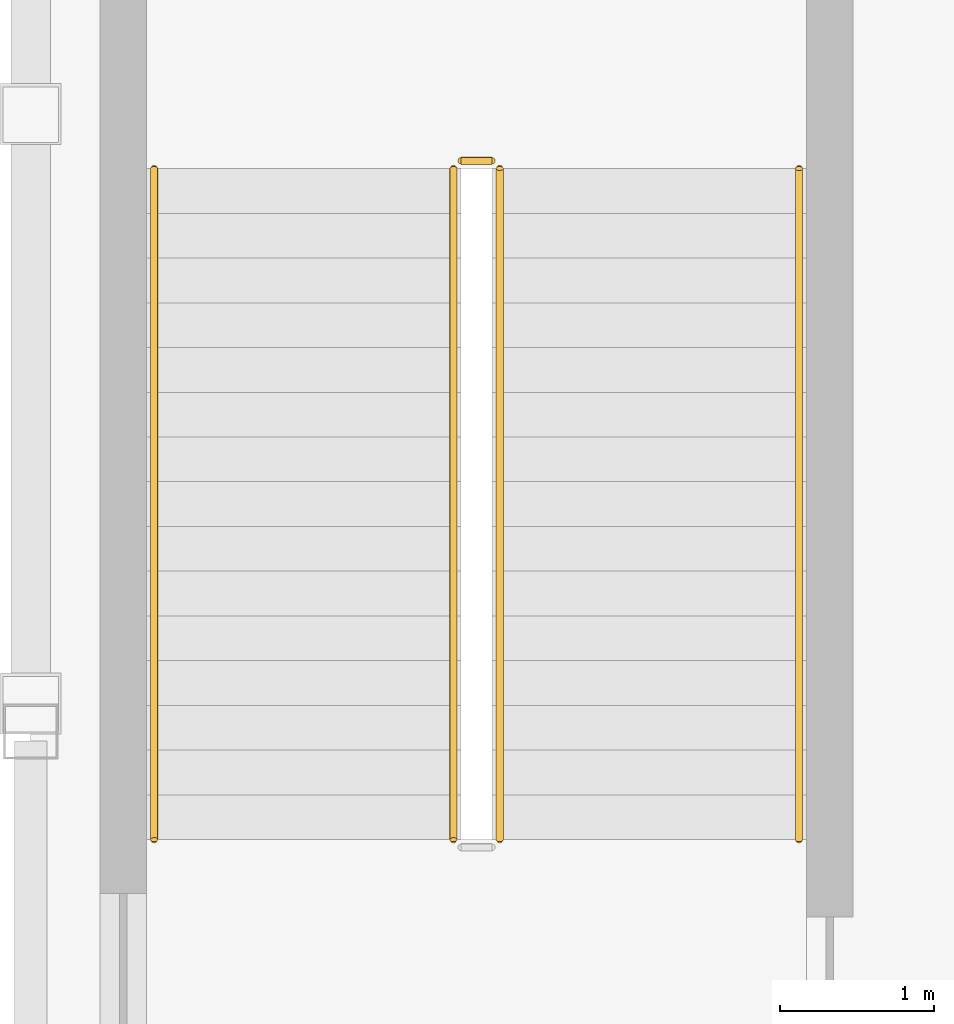
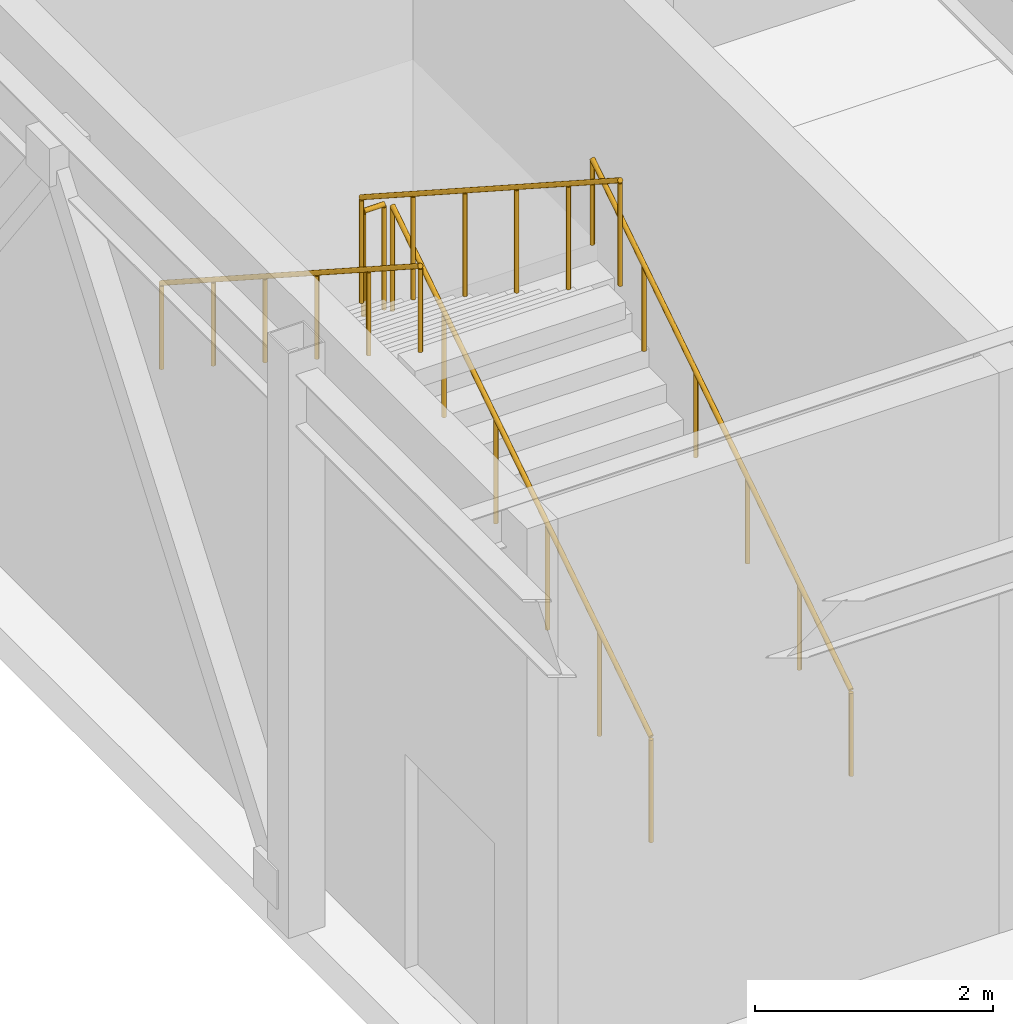
# One storey, part 76 of 82: 5 railings.
"""IFC4 building model written with IfcOpenShell, lengths in metres."""

import ifcopenshell
import ifcopenshell.guid

model = None  # the IFC model being written
_history = None  # IfcOwnerHistory: only IFC2X3 demands one
_inside = {}  # id of a spatial element -> (the spatial element, [elements in it])
_under = {}  # id of a project, library or spatial element -> (it, [spatial elements below it])
_declared = {}  # id of a project -> (the project, [libraries it declares])
_typed = {}  # id of a type object -> (the type object, [elements of that type])
_made_of = {}  # id of a material, layer set ... -> (it, [elements and type objects made of it])


def new_model(schema):
    """Start an empty IFC model of exactly this schema.

    Asked for "IFC4X3", IfcOpenShell would pick the latest addendum, in which some entities
    have other attributes; the version numbers below select the first issue.
    IFC2X3 requires an IfcOwnerHistory on every rooted entity: one is made here for all.
    """
    global model, _history
    if schema == "IFC4X3":
        model = ifcopenshell.file(schema_version=(4, 3, 0, 0))
    else:
        model = ifcopenshell.file(schema=schema)
    _inside.clear()
    _under.clear()
    _declared.clear()
    _typed.clear()
    _made_of.clear()
    _history = None
    if model.schema == "IFC2X3":
        org = make("IfcOrganization", Name="unknown")
        user = make(
            "IfcPersonAndOrganization",
            ThePerson=make("IfcPerson", FamilyName="unknown"),
            TheOrganization=org,
        )
        app = make(
            "IfcApplication",
            ApplicationDeveloper=org,
            Version="unknown",
            ApplicationFullName="unknown",
            ApplicationIdentifier="unknown",
        )
        _history = make(
            "IfcOwnerHistory",
            OwningUser=user,
            OwningApplication=app,
            ChangeAction="ADDED",
            CreationDate=0,
        )
    return model


def make(cls, **values):
    """One entity of the class cls with the attributes given. An attribute that is None is left unset."""
    return model.create_entity(
        cls, **{name: value for name, value in values.items() if value is not None}
    )


def rooted(cls, **values):
    """An entity with a GlobalId (a new one), such as an element, a storey or a relation."""
    return make(cls, GlobalId=ifcopenshell.guid.new(), OwnerHistory=_history, **values)


def si_unit(unit_type, name, prefix=None):
    """IfcSIUnit, for example si_unit("LENGTHUNIT", "METRE", prefix="MILLI")."""
    return make("IfcSIUnit", UnitType=unit_type, Prefix=prefix, Name=name)


def assignment(units):
    """IfcUnitAssignment: the units of a project."""
    return None if units is None else make("IfcUnitAssignment", Units=units)


def point(xyz):
    """IfcCartesianPoint."""
    return None if xyz is None else make("IfcCartesianPoint", Coordinates=xyz)


def direction(xyz):
    """IfcDirection."""
    return None if xyz is None else make("IfcDirection", DirectionRatios=xyz)


def frame(location, z_axis=None, x_axis=None):
    """IfcAxis2Placement3D, a coordinate frame: its origin and axes. An axis left out is left unset."""
    return make(
        "IfcAxis2Placement3D",
        Location=point(location),
        Axis=direction(z_axis),
        RefDirection=direction(x_axis),
    )


def frame_2d(location, x_axis=None):
    """IfcAxis2Placement2D, a coordinate frame in the plane: its origin and x axis."""
    return make(
        "IfcAxis2Placement2D", Location=point(location), RefDirection=direction(x_axis)
    )


def origin():
    """The frame at (0, 0, 0) with its axes left unset."""
    return frame((0.0, 0.0, 0.0))


def origin_2d():
    """The frame at (0, 0) in the plane with its x axis left unset."""
    return frame_2d((0.0, 0.0))


def place(relative_to, where):
    """IfcLocalPlacement: puts the frame where relative to a parent placement (None: the world)."""
    return make(
        "IfcLocalPlacement", PlacementRelTo=relative_to, RelativePlacement=where
    )


def context(
    kind, dimensions, precision=None, world=None, true_north=None, identifier=None
):
    """IfcGeometricRepresentationContext, for example the 3D "Model" context."""
    return make(
        "IfcGeometricRepresentationContext",
        ContextIdentifier=identifier,
        ContextType=kind,
        CoordinateSpaceDimension=dimensions,
        Precision=precision,
        WorldCoordinateSystem=world,
        TrueNorth=true_north,
    )


def subcontext(parent, identifier, kind, view, scale=None):
    """IfcGeometricRepresentationSubContext, for example "Body" below "Model"."""
    return make(
        "IfcGeometricRepresentationSubContext",
        ContextIdentifier=identifier,
        ContextType=kind,
        ParentContext=parent,
        TargetScale=scale,
        TargetView=view,
    )


def project(units=None, contexts=None):
    """IfcProject with its units and contexts."""
    return rooted(
        "IfcProject",
        Name="project",
        RepresentationContexts=contexts,
        UnitsInContext=assignment(units),
    )


def spatial(cls, under=None, at=None, **own):
    """A site, building, storey or space (cls), placed at a placement, below another one or the project."""
    s = rooted(cls, ObjectPlacement=at, **own)
    if under is not None:
        _under.setdefault(under.id(), (under, []))[1].append(s)
    return s


def profile(cls, at=None, kind="AREA", **sizes):
    """A parametric profile (cls). Its sizes go by their IFC names, for example OverallWidth=200.0."""
    return make(cls, ProfileType=kind, Position=at, **sizes)


def circle(**sizes):
    """IfcCircleProfileDef."""
    return profile("IfcCircleProfileDef", **sizes)


def extrude(swept, where, along, depth):
    """IfcExtrudedAreaSolid: the profile swept, set in the frame where, extruded along a direction by depth."""
    return make(
        "IfcExtrudedAreaSolid",
        SweptArea=swept,
        Position=where,
        ExtrudedDirection=direction(along),
        Depth=depth,
    )


def shape(context_of_items, identifier, shape_type, items):
    """IfcShapeRepresentation: the items that make up one representation, for example the "Body"."""
    return make(
        "IfcShapeRepresentation",
        ContextOfItems=context_of_items,
        RepresentationIdentifier=identifier,
        RepresentationType=shape_type,
        Items=items,
    )


def material(Name=None, Category=None):
    """IfcMaterial."""
    return make("IfcMaterial", Name=Name, Category=Category)


def made_of(thing, what):
    """Note that an element or type object is made of a material, layer set ...; save() writes the relation."""
    if what is not None:
        _made_of.setdefault(what.id(), (what, []))[1].append(thing)
    return thing


def type_object(cls, material=None, **own):
    """A type object (cls), such as IfcWallType, which elements share."""
    return made_of(rooted(cls, **own), material)


def element(
    cls,
    number,
    at=None,
    inside=None,
    cuts=None,
    type_object=None,
    material=None,
    context=None,
    identifier="Body",
    shape_type=None,
    held_by="IfcProductDefinitionShape",
    body=None,
    shapes=None,
    **own,
):
    """One element of the class cls, such as IfcWall. Its Tag is "e" and its number.

    at: its placement. inside: the storey or other place that contains it. cuts: it is an
    opening in that element (IfcRelVoidsElement). A single representation is given by context,
    identifier, shape_type and body (its items); several are given by shapes. held_by: the class
    of the entity that holds the representations. save() writes the other relations.
    """
    e = rooted(cls, Tag="e%d" % number, ObjectPlacement=at, **own)
    if body is not None:
        shapes = [shape(context, identifier, shape_type, body)]
    if shapes is not None:
        e.Representation = make(held_by, Representations=shapes)
    if inside is not None:
        _inside.setdefault(inside.id(), (inside, []))[1].append(e)
    if cuts is not None:
        rooted(
            "IfcRelVoidsElement", RelatingBuildingElement=cuts, RelatedOpeningElement=e
        )
    if type_object is not None:
        _typed.setdefault(type_object.id(), (type_object, []))[1].append(e)
    return made_of(e, material)


def aggregate(whole, parts):
    """IfcRelAggregates: a whole, such as a stair, and the parts it consists of."""
    return rooted("IfcRelAggregates", RelatingObject=whole, RelatedObjects=parts)


def save(model, path):
    """Write the relations noted so far, then the file.

    IfcRelAggregates (storeys below a building ...), IfcRelContainedInSpatialStructure (elements
    in a storey), IfcRelDefinesByType, IfcRelAssociatesMaterial and IfcRelDeclares: one each for
    every whole, place, type object, material and project.
    """
    for whole, parts in _under.values():
        aggregate(whole, parts)
    for where, things in _inside.values():
        rooted(
            "IfcRelContainedInSpatialStructure",
            RelatedElements=things,
            RelatingStructure=where,
        )
    for kind, things in _typed.values():
        rooted("IfcRelDefinesByType", RelatedObjects=things, RelatingType=kind)
    for what, things in _made_of.values():
        rooted("IfcRelAssociatesMaterial", RelatedObjects=things, RelatingMaterial=what)
    for by, libraries in _declared.values():
        rooted("IfcRelDeclares", RelatingContext=by, RelatedDefinitions=libraries)
    model.write(path)


model = new_model("IFC4")

# Units and contexts
model_context = context("Model", 3, precision=1e-05, world=origin(), true_north=direction((0.0, 1.0)))
body_context = subcontext(model_context, "Body", "Model", "MODEL_VIEW")
ifc_project = project(units=[si_unit("LENGTHUNIT", "METRE"), si_unit("AREAUNIT", "SQUARE_METRE"), si_unit("VOLUMEUNIT", "CUBIC_METRE"), si_unit("PLANEANGLEUNIT", "RADIAN"), si_unit("MASSUNIT", "GRAM", prefix="KILO")], contexts=[model_context])

# Site, building, storey
site_placement = place(None, origin())
site = spatial("IfcSite", under=ifc_project, at=site_placement, CompositionType="ELEMENT")
building_placement = place(site_placement, origin())
building = spatial("IfcBuilding", under=site, at=building_placement, Name="Drelvath Fold Interchange", CompositionType="ELEMENT")
storey_placement = place(building_placement, origin())
storey = spatial("IfcBuildingStorey", under=building, at=storey_placement, Name="L00", CompositionType="ELEMENT", Elevation=0.0)

# Railings
ifc_material = material(Name="Stainless Steel 316L", Category="steel")
railing_type_1 = type_object("IfcRailingType", Name="RL-GRD1100", PredefinedType="GUARDRAIL", material=ifc_material)
railing_1_placement = place(storey_placement, frame((7.0400390625, 90.300048828125, 0.1875)))
element("IfcRailing", 1, at=railing_1_placement, inside=storey, type_object=railing_type_1, Name="L00 ST-05 stair guard 1", PredefinedType="GUARDRAIL", context=body_context, shape_type="SweptSolid", body=[
    extrude(circle(Radius=0.02392578125, at=origin_2d()), frame((0.0, 0.0, 1.076171875), z_axis=(0.0, 0.839755993153, 0.542963969306), x_axis=(-1.0, 0.0, 0.0)), (0.0, 0.0, 1.0), 5.179931640625),
    extrude(circle(Radius=0.02099609375, at=origin_2d()), origin(), (0.0, 0.0, 1.0), 1.052001953125),
    extrude(circle(Radius=0.02099609375, at=origin_2d()), frame((0.0, 0.869873046875, 0.5625)), (0.0, 0.0, 1.0), 1.052001953125),
    extrude(circle(Radius=0.02099609375, at=origin_2d()), frame((0.0, 1.739990234375, 1.125)), (0.0, 0.0, 1.0), 1.052001953125),
    extrude(circle(Radius=0.02099609375, at=origin_2d()), frame((0.0, 2.60986328125, 1.6875)), (0.0, 0.0, 1.0), 1.052001953125),
    extrude(circle(Radius=0.02099609375, at=origin_2d()), frame((0.0, 3.47998046875, 2.25)), (0.0, 0.0, 1.0), 1.052001953125),
    extrude(circle(Radius=0.02099609375, at=origin_2d()), frame((0.0, 4.349853515625, 2.8125)), (0.0, 0.0, 1.0), 1.052001953125),
])
railing_2_placement = place(storey_placement, frame((6.989990234375, 94.699951171875, 3.0)))
element("IfcRailing", 2, at=railing_2_placement, inside=storey, type_object=railing_type_1, Name="L00 ST-05 stair guard 2", PredefinedType="GUARDRAIL", context=body_context, shape_type="SweptSolid", body=[
    extrude(circle(Radius=0.02392578125, at=origin_2d()), frame((0.0, 0.0, 1.076171875), z_axis=(-1.0, 0.0, 0.0), x_axis=(0.0, -1.0, 0.0)), (0.0, 0.0, 1.0), 0.199951171875),
    extrude(circle(Radius=0.02099609375, at=origin_2d()), origin(), (0.0, 0.0, 1.0), 1.052001953125),
    extrude(circle(Radius=0.02099609375, at=origin_2d()), frame((-0.199951171875, 0.0, 0.0)), (0.0, 0.0, 1.0), 1.052001953125),
])
railing_3_placement = place(storey_placement, frame((6.739990234375, 94.64990234375, 3.1875)))
element("IfcRailing", 3, at=railing_3_placement, inside=storey, type_object=railing_type_1, Name="L00 ST-05 stair guard 3", PredefinedType="GUARDRAIL", context=body_context, shape_type="SweptSolid", body=[
    extrude(circle(Radius=0.02392578125, at=origin_2d()), frame((0.0, 0.0, 1.076171875), z_axis=(0.0, -0.839755993153, 0.542963969306), x_axis=(1.0, 0.0, 0.0)), (0.0, 0.0, 1.0), 5.179931640625),
    extrude(circle(Radius=0.02099609375, at=origin_2d()), origin(), (0.0, 0.0, 1.0), 1.052001953125),
    extrude(circle(Radius=0.02099609375, at=origin_2d()), frame((0.0, -0.869873046875, 0.5625)), (0.0, 0.0, 1.0), 1.052001953125),
    extrude(circle(Radius=0.02099609375, at=origin_2d()), frame((0.0, -1.739990234375, 1.125)), (0.0, 0.0, 1.0), 1.052001953125),
    extrude(circle(Radius=0.02099609375, at=origin_2d()), frame((0.0, -2.60986328125, 1.6875)), (0.0, 0.0, 1.0), 1.052001953125),
    extrude(circle(Radius=0.02099609375, at=origin_2d()), frame((0.0, -3.47998046875, 2.25)), (0.0, 0.0, 1.0), 1.052001953125),
    extrude(circle(Radius=0.02099609375, at=origin_2d()), frame((0.0, -4.349853515625, 2.8125)), (0.0, 0.0, 1.0), 1.052001953125),
])
railing_type_2 = type_object("IfcRailingType", Name="RL-HND920", PredefinedType="HANDRAIL", material=ifc_material)
railing_4_placement = place(storey_placement, frame((8.97998046875, 90.300048828125, 0.1875)))
element("IfcRailing", 4, at=railing_4_placement, inside=storey, type_object=railing_type_2, Name="L00 ST-05 stair handrail 1", PredefinedType="HANDRAIL", context=body_context, shape_type="SweptSolid", body=[
    extrude(circle(Radius=0.02392578125, at=origin_2d()), frame((0.0, 0.0, 0.8759765625), z_axis=(0.0, 0.839755993153, 0.542963969306), x_axis=(-1.0, 0.0, 0.0)), (0.0, 0.0, 1.0), 5.179931640625),
    extrude(circle(Radius=0.02099609375, at=origin_2d()), origin(), (0.0, 0.0, 1.0), 0.851806640625),
    extrude(circle(Radius=0.02099609375, at=origin_2d()), frame((0.0, 0.869873046875, 0.5625)), (0.0, 0.0, 1.0), 0.851806640625),
    extrude(circle(Radius=0.02099609375, at=origin_2d()), frame((0.0, 1.739990234375, 1.125)), (0.0, 0.0, 1.0), 0.851806640625),
    extrude(circle(Radius=0.02099609375, at=origin_2d()), frame((0.0, 2.60986328125, 1.6875)), (0.0, 0.0, 1.0), 0.851806640625),
    extrude(circle(Radius=0.02099609375, at=origin_2d()), frame((0.0, 3.47998046875, 2.25)), (0.0, 0.0, 1.0), 0.851806640625),
    extrude(circle(Radius=0.02099609375, at=origin_2d()), frame((0.0, 4.349853515625, 2.8125)), (0.0, 0.0, 1.0), 0.851806640625),
])
railing_5_placement = place(storey_placement, frame((4.800048828125, 94.64990234375, 3.1875)))
element("IfcRailing", 5, at=railing_5_placement, inside=storey, type_object=railing_type_2, Name="L00 ST-05 stair handrail 2", PredefinedType="HANDRAIL", context=body_context, shape_type="SweptSolid", body=[
    extrude(circle(Radius=0.02392578125, at=origin_2d()), frame((0.0, 0.0, 0.8759765625), z_axis=(0.0, -0.839755993153, 0.542963969306), x_axis=(1.0, 0.0, 0.0)), (0.0, 0.0, 1.0), 5.179931640625),
    extrude(circle(Radius=0.02099609375, at=origin_2d()), origin(), (0.0, 0.0, 1.0), 0.851806640625),
    extrude(circle(Radius=0.02099609375, at=origin_2d()), frame((0.0, -0.869873046875, 0.5625)), (0.0, 0.0, 1.0), 0.851806640625),
    extrude(circle(Radius=0.02099609375, at=origin_2d()), frame((0.0, -1.739990234375, 1.125)), (0.0, 0.0, 1.0), 0.851806640625),
    extrude(circle(Radius=0.02099609375, at=origin_2d()), frame((0.0, -2.60986328125, 1.6875)), (0.0, 0.0, 1.0), 0.851806640625),
    extrude(circle(Radius=0.02099609375, at=origin_2d()), frame((0.0, -3.47998046875, 2.25)), (0.0, 0.0, 1.0), 0.851806640625),
    extrude(circle(Radius=0.02099609375, at=origin_2d()), frame((0.0, -4.349853515625, 2.8125)), (0.0, 0.0, 1.0), 0.851806640625),
])

save(model, "model.ifc")
